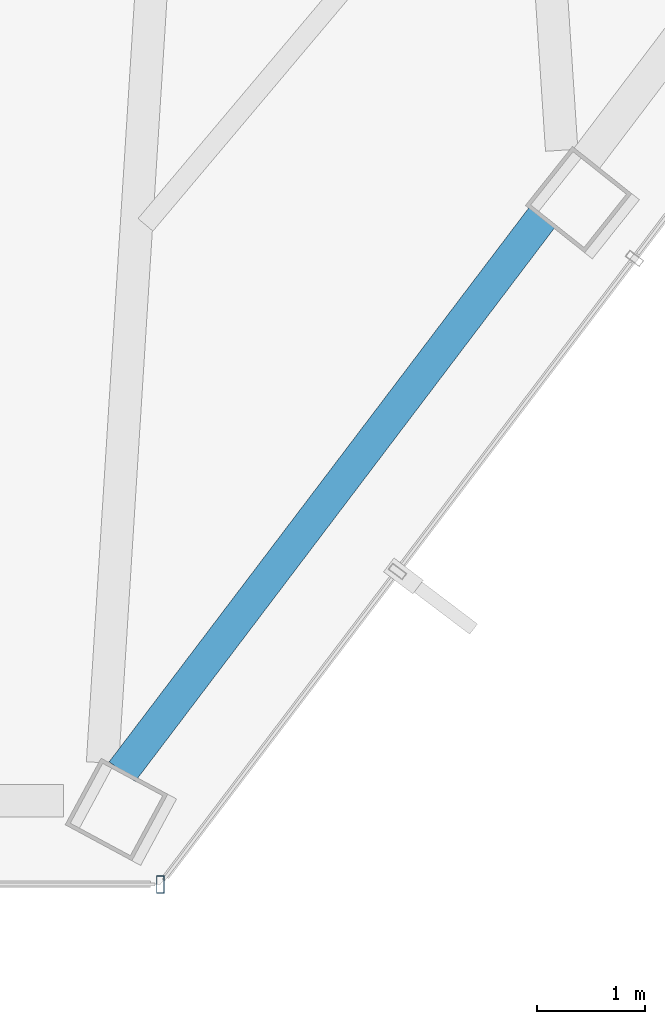
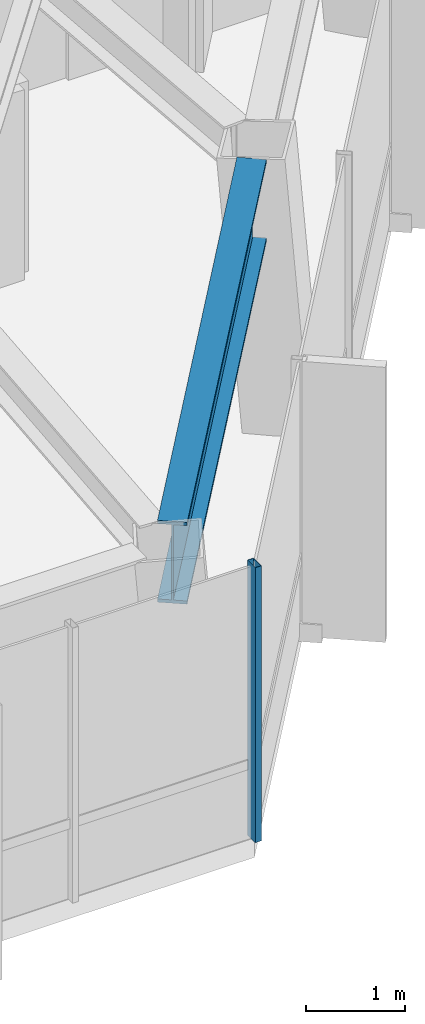
# One storey, part 7 of 28: 1 beam, 1 member, 1 element without a shape of its own.
"""IFC4 building model written with IfcOpenShell, lengths in metres."""

from ifc_helpers import new_model, si_unit, direction, frame, origin, origin_2d, place, context, subcontext, project, spatial, hollow_rectangle, i_section, extrude, material, layer, layer_set, material_profile, profile_set, type_object, element, aggregate, save


model = new_model("IFC4")

# Units and contexts
model_context = context("Model", 3, precision=1e-05, world=origin(), true_north=direction((0.0, 1.0)))
body_context = subcontext(model_context, "Body", "Model", "MODEL_VIEW")
ifc_project = project(units=[si_unit("LENGTHUNIT", "METRE"), si_unit("AREAUNIT", "SQUARE_METRE"), si_unit("VOLUMEUNIT", "CUBIC_METRE"), si_unit("PLANEANGLEUNIT", "RADIAN"), si_unit("MASSUNIT", "GRAM", prefix="KILO")], contexts=[model_context])

# Site, building, storey
site_placement = place(None, origin())
site = spatial("IfcSite", under=ifc_project, at=site_placement, CompositionType="ELEMENT")
building_placement = place(site_placement, origin())
building = spatial("IfcBuilding", under=site, at=building_placement, Name="Zarrinselat Tower", CompositionType="ELEMENT")
storey_placement = place(building_placement, frame((0.0, 0.0, 190.739990234375)))
storey = spatial("IfcBuildingStorey", under=building, at=storey_placement, Name="L47", CompositionType="ELEMENT", Elevation=190.739990234375)

# Beam
ifc_material_1 = material(Name="Steel S460M", Category="steel")
ifc_material_profile_1 = material_profile(ifc_material_1, i_section(OverallWidth=0.302001953125, OverallDepth=1.008056640625, WebThickness=0.02099609375, FlangeThickness=0.0400390625, at=origin_2d()), Name="HEM 1000")
ifc_profile_set_1 = profile_set([ifc_material_profile_1], Name="Steel S460M")
beam_type = type_object("IfcBeamType", Name="BM-HEM1000", PredefinedType="BEAM", material=ifc_profile_set_1)
beam_placement = place(storey_placement, frame((45.077392578125, 18.635009765625, 2.885986328125), z_axis=(0.603854769966, 0.797094358774, 0.0), x_axis=(-0.797094358774, 0.603854769966, 0.0)))
element("IfcBeam", 1, at=beam_placement, inside=storey, type_object=beam_type, Name="L47 Perimeter Spandrel Girder SP11", PredefinedType="BEAM", context=body_context, shape_type="SweptSolid", body=[
    extrude(i_section(OverallWidth=0.302001953125, OverallDepth=1.008056640625, WebThickness=0.02099609375, FlangeThickness=0.0400390625, at=origin_2d()), origin(), (0.0, 0.0, 1.0), 6.443359375),
])

# Curtain wall, member
ifc_material_2 = material(Name="Extruded Aluminium Alloy EN AW-6063 T6", Category="aluminium")
ifc_layer = layer(ifc_material_2, 0.175048828125)
ifc_layer_set = layer_set([ifc_layer], Name="Extruded Aluminium Alloy EN AW-6063 T6")
curtain_wall_type = type_object("IfcCurtainWallType", Name="CWS-HTL", PredefinedType="NOTDEFINED", material=ifc_layer_set)
curtain_wall_placement = place(storey_placement, origin())
curtain_wall = element("IfcCurtainWall", 2, at=curtain_wall_placement, inside=storey, type_object=curtain_wall_type, Name="L47 Unitised Curtain Wall CW-L47-E04", PredefinedType="NOTDEFINED")
ifc_material_3 = material(Name="Extruded Aluminium Alloy EN AW-6063 T6", Category="aluminium")
ifc_material_profile_2 = material_profile(ifc_material_3, hollow_rectangle(XDim=0.070068359375, YDim=0.159912109375, WallThickness=0.00390625, at=origin_2d()), Name="RHS 160x70x4")
ifc_profile_set_2 = profile_set([ifc_material_profile_2], Name="Extruded Aluminium Alloy EN AW-6063 T6")
member_type = type_object("IfcMemberType", Name="MEM-CW-MUL2", PredefinedType="MULLION", material=ifc_profile_set_2)
member_placement = place(storey_placement, frame((45.4306640625, 17.58935546875, 0.0), z_axis=(0.0, 0.0, 1.0), x_axis=(1.0, 0.0, 0.0)))
member = element("IfcMember", 3, at=member_placement, type_object=member_type, Name="CW-L47-E04 Mullion 5", PredefinedType="MULLION", context=body_context, shape_type="SweptSolid", body=[
    extrude(hollow_rectangle(XDim=0.070068359375, YDim=0.159912109375, WallThickness=0.00390625, at=origin_2d()), origin(), (0.0, 0.0, 1.0), 3.389892578125),
])
aggregate(curtain_wall, [member])

save(model, "model.ifc")
